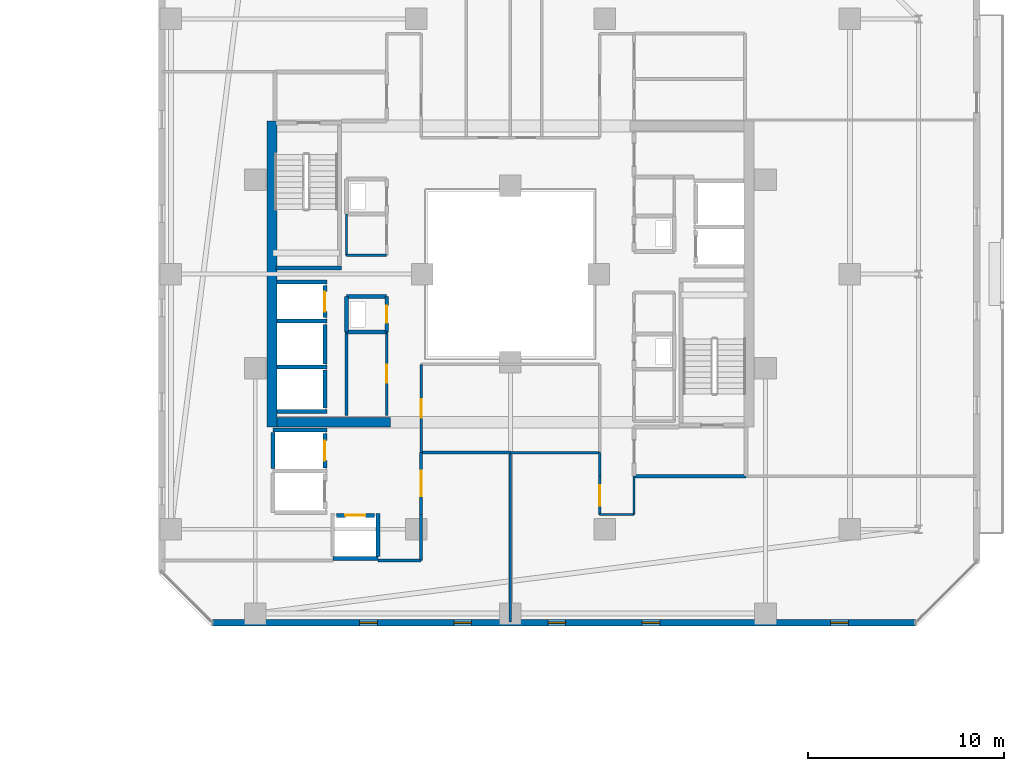
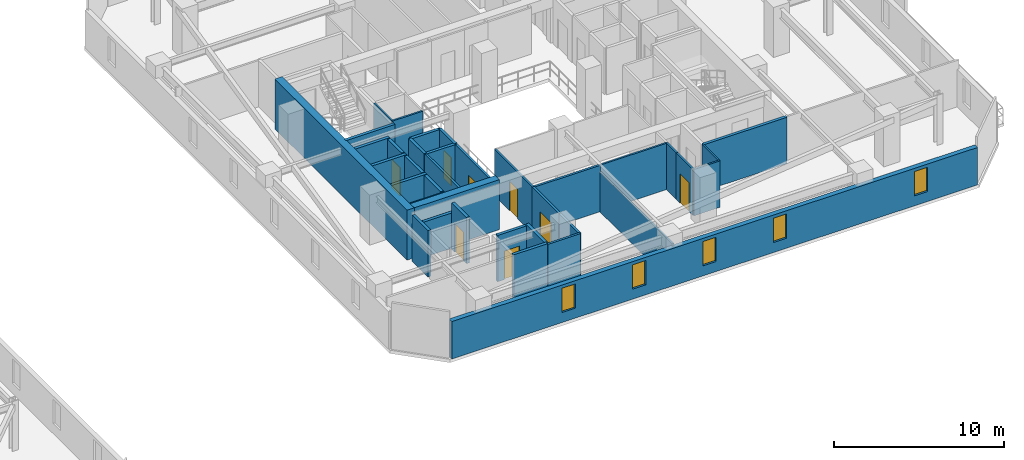
# One storey, part 23 of 33: 37 walls, 8 doors, 5 windows, 13 openings.
"""IFC4 building model written with IfcOpenShell, lengths in metres."""

from ifc_helpers import new_model, si_unit, direction, frame, frame_2d, origin, place, context, subcontext, project, spatial, rectangle, extrude, material, layer, layer_set, type_object, element, fill, save


model = new_model("IFC4")

# Units and contexts
model_context = context("Model", 3, precision=1e-05, world=origin(), true_north=direction((0.0, 1.0)))
body_context = subcontext(model_context, "Body", "Model", "MODEL_VIEW")
ifc_project = project(units=[si_unit("LENGTHUNIT", "METRE"), si_unit("AREAUNIT", "SQUARE_METRE"), si_unit("VOLUMEUNIT", "CUBIC_METRE"), si_unit("PLANEANGLEUNIT", "RADIAN"), si_unit("MASSUNIT", "GRAM", prefix="KILO")], contexts=[model_context])

# Site, building, storey
site_placement = place(None, origin())
site = spatial("IfcSite", under=ifc_project, at=site_placement, CompositionType="ELEMENT")
building_placement = place(site_placement, origin())
building = spatial("IfcBuilding", under=site, at=building_placement, Name="Thornwick Lancets Civic Towers", CompositionType="ELEMENT")
storey_placement = place(building_placement, frame((0.0, 0.0, 163.5)))
storey = spatial("IfcBuildingStorey", under=building, at=storey_placement, Name="L43", CompositionType="ELEMENT", Elevation=163.5)

# Wall, opening, door
ifc_material_1 = material(Name="Concrete blockwork C40/50", Category="masonry")
ifc_layer_1 = layer(ifc_material_1, 0.199951171875, Name="Concrete blockwork C40/50")
ifc_layer_set_1 = layer_set([ifc_layer_1], Name="Concrete blockwork C40/50")
wall_type_1 = type_object("IfcWallType", Name="WALL_COMP_200", PredefinedType="STANDARD", material=ifc_layer_set_1)
wall_1_placement = place(storey_placement, frame((79.050048828125, 24.780029296875, 0.0), z_axis=(0.0, 0.0, 1.0), x_axis=(0.0, 1.0, 0.0)))
wall_1 = element("IfcWall", 1, at=wall_1_placement, inside=storey, type_object=wall_type_1, Name="L43 Hoistway Front Wall FL-B2", PredefinedType="STANDARD", context=body_context, shape_type="SweptSolid", body=[
    extrude(rectangle(XDim=1.639892578125, YDim=0.199951171875, at=frame_2d((0.81982421875, 0.0))), origin(), (0.0, 0.0, 1.0), 3.340087890625),
])
opening_1_placement = place(wall_1_placement, frame((0.31005859375, 0.0, 0.0)))
opening_1 = element("IfcOpeningElement", 2, at=opening_1_placement, cuts=wall_1, Name="Opening LD-FL-B2", PredefinedType="OPENING", context=body_context, shape_type="SweptSolid", body=[
    extrude(rectangle(XDim=1.02001953125, YDim=2.06005859375, at=frame_2d((0.510009765625, 1.030029296875))), frame((0.0, 0.10986328125, 0.0), z_axis=(0.0, -1.0, 0.0), x_axis=(1.0, 0.0, 0.0)), (0.0, 0.0, 1.0), 0.219970703125),
])
ifc_material_2 = material(Name="Brushed bronze stainless steel", Category="steel")
door_type_1 = type_object("IfcDoorType", Name="DOOR_LIFT_SLIDE", OperationType="SLIDING_TO_LEFT", PredefinedType="DOOR", material=ifc_material_2)
door_1_placement = place(opening_1_placement, origin())
door_1 = element("IfcDoor", 3, at=door_1_placement, inside=storey, type_object=door_type_1, Name="L43 Sliding Lift Landing Door LD-FL-B2", OperationType="SLIDING_TO_LEFT", OverallHeight=2.06005859375, OverallWidth=1.02001953125, PredefinedType="DOOR", context=body_context, shape_type="SweptSolid", body=[
    extrude(rectangle(XDim=1.02001953125, YDim=2.06005859375, at=frame_2d((0.510009765625, 1.030029296875))), frame((0.0, 0.02490234375, 0.0), z_axis=(0.0, -1.0, 0.0), x_axis=(1.0, 0.0, 0.0)), (0.0, 0.0, 1.0), 0.050048828125),
])
fill(opening_1, door_1)

# Walls
wall_2_placement = place(storey_placement, frame((79.050048828125, 22.429931640625, 0.0), z_axis=(0.0, 0.0, 1.0), x_axis=(0.0, 1.0, 0.0)))
element("IfcWall", 4, at=wall_2_placement, inside=storey, type_object=wall_type_1, Name="L43 Hoistway Front Wall PL-BH2", PredefinedType="STANDARD", context=body_context, shape_type="SweptSolid", body=[
    extrude(rectangle(XDim=1.989990234375, YDim=0.199951171875, at=frame_2d((0.9951171875, 0.0))), origin(), (0.0, 0.0, 1.0), 3.340087890625),
])
wall_3_placement = place(storey_placement, frame((79.050048828125, 20.179931640625, 0.0), z_axis=(0.0, 0.0, 1.0), x_axis=(0.0, 1.0, 0.0)))
element("IfcWall", 5, at=wall_3_placement, inside=storey, type_object=wall_type_1, Name="L43 Hoistway Front Wall PL-BH3", PredefinedType="STANDARD", context=body_context, shape_type="SweptSolid", body=[
    extrude(rectangle(XDim=1.940185546875, YDim=0.199951171875, at=frame_2d((0.97021484375, 0.0))), origin(), (0.0, 0.0, 1.0), 3.340087890625),
])

# Wall, opening, door
wall_4_placement = place(storey_placement, frame((79.050048828125, 17.1298828125, 0.0), z_axis=(0.0, 0.0, 1.0), x_axis=(0.0, 1.0, 0.0)))
wall_4 = element("IfcWall", 6, at=wall_4_placement, inside=storey, type_object=wall_type_1, Name="L43 Hoistway Front Wall PL-BM1", PredefinedType="STANDARD", context=body_context, shape_type="SweptSolid", body=[
    extrude(rectangle(XDim=1.740234375, YDim=0.199951171875, at=frame_2d((0.8701171875, 0.0))), origin(), (0.0, 0.0, 1.0), 3.340087890625),
])
opening_2_placement = place(wall_4_placement, frame((0.360107421875, 0.0, 0.0)))
opening_2 = element("IfcOpeningElement", 7, at=opening_2_placement, cuts=wall_4, Name="Opening LD-PL-BM1", PredefinedType="OPENING", context=body_context, shape_type="SweptSolid", body=[
    extrude(rectangle(XDim=1.02001953125, YDim=2.06005859375, at=frame_2d((0.510009765625, 1.030029296875))), frame((0.0, 0.10986328125, 0.0), z_axis=(0.0, -1.0, 0.0), x_axis=(1.0, 0.0, 0.0)), (0.0, 0.0, 1.0), 0.219970703125),
])
door_2_placement = place(opening_2_placement, origin())
door_2 = element("IfcDoor", 8, at=door_2_placement, inside=storey, type_object=door_type_1, Name="L43 Sliding Lift Landing Door LD-PL-BM1", OperationType="SLIDING_TO_LEFT", OverallHeight=2.06005859375, OverallWidth=1.02001953125, PredefinedType="DOOR", context=body_context, shape_type="SweptSolid", body=[
    extrude(rectangle(XDim=1.02001953125, YDim=2.06005859375, at=frame_2d((0.510009765625, 1.030029296875))), frame((0.0, 0.02490234375, 0.0), z_axis=(0.0, -1.0, 0.0), x_axis=(1.0, 0.0, 0.0)), (0.0, 0.0, 1.0), 0.050048828125),
])
fill(opening_2, door_2)

wall_5_placement = place(storey_placement, frame((79.6298828125, 14.699951171875, 0.0), z_axis=(0.0, 0.0, 1.0), x_axis=(1.0, 0.0, 0.0)))
wall_5 = element("IfcWall", 9, at=wall_5_placement, inside=storey, type_object=wall_type_1, Name="L43 Hoistway Front Wall PL-BM3", PredefinedType="STANDARD", context=body_context, shape_type="SweptSolid", body=[
    extrude(rectangle(XDim=1.940185546875, YDim=0.199951171875, at=frame_2d((0.97021484375, 0.0))), origin(), (0.0, 0.0, 1.0), 3.340087890625),
])
opening_3_placement = place(wall_5_placement, frame((0.4599609375, 0.0, 0.0)))
opening_3 = element("IfcOpeningElement", 10, at=opening_3_placement, cuts=wall_5, Name="Opening LD-PL-BM3", PredefinedType="OPENING", context=body_context, shape_type="SweptSolid", body=[
    extrude(rectangle(XDim=1.02001953125, YDim=2.06005859375, at=frame_2d((0.510009765625, 1.030029296875))), frame((0.0, 0.10986328125, 0.0), z_axis=(0.0, -1.0, 0.0), x_axis=(1.0, 0.0, 0.0)), (0.0, 0.0, 1.0), 0.219970703125),
])
door_3_placement = place(opening_3_placement, origin())
door_3 = element("IfcDoor", 11, at=door_3_placement, inside=storey, type_object=door_type_1, Name="L43 Sliding Lift Landing Door LD-PL-BM3", OperationType="SLIDING_TO_LEFT", OverallHeight=2.06005859375, OverallWidth=1.02001953125, PredefinedType="DOOR", context=body_context, shape_type="SweptSolid", body=[
    extrude(rectangle(XDim=1.02001953125, YDim=2.06005859375, at=frame_2d((0.510009765625, 1.030029296875))), frame((0.0, 0.02490234375, 0.0), z_axis=(0.0, -1.0, 0.0), x_axis=(1.0, 0.0, 0.0)), (0.0, 0.0, 1.0), 0.050048828125),
])
fill(opening_3, door_3)

# Walls
for number, where, z_axis, x_axis, name in (
    (12, (76.612060546875, 26.60009765625, 0.0), (0.0, 0.0, 1.0), (1.0, 0.0, 0.0), "L43 Hoistway Shaft Wall FL-B2 N"),
    (13, (76.612060546875, 24.60009765625, 0.0), (0.0, 0.0, 1.0), (1.0, 0.0, 0.0), "L43 Hoistway Shaft Wall FL-B2 S"),
    (14, (76.612060546875, 22.27490234375, 0.0), (0.0, 0.0, 1.0), (1.0, 0.0, 0.0), "L43 Hoistway Shaft Wall PL-BH2 S"),
    (15, (76.612060546875, 20.0, 0.0), (0.0, 0.0, 1.0), (1.0, 0.0, 0.0), "L43 Hoistway Shaft Wall PL-BH3 S"),
):
    element("IfcWall", number, at=place(storey_placement, frame(where, z_axis=z_axis, x_axis=x_axis)), inside=storey, type_object=wall_type_1, Name=name, PredefinedType="STANDARD", context=body_context, shape_type="SweptSolid", body=[
        extrude(rectangle(XDim=2.535888671875, YDim=0.199951171875, at=frame_2d((1.26806640625, 0.0))), origin(), (0.0, 0.0, 1.0), 3.340087890625),
    ])
wall_6_placement = place(storey_placement, frame((76.402099609375, 19.050048828125, 0.0), z_axis=(0.0, 0.0, 1.0), x_axis=(1.0, 0.0, 0.0)))
element("IfcWall", 16, at=wall_6_placement, inside=storey, type_object=wall_type_1, Name="L43 Hoistway Shaft Wall PL-BM1 N", PredefinedType="STANDARD", context=body_context, shape_type="SweptSolid", body=[
    extrude(rectangle(XDim=2.745849609375, YDim=0.199951171875, at=frame_2d((1.373046875, 0.0))), origin(), (0.0, 0.0, 1.0), 2.544921875),
])
wall_7_placement = place(storey_placement, frame((76.39990234375, 17.08203125, 0.0), z_axis=(0.0, 0.0, 1.0), x_axis=(0.0, 1.0, 0.0)))
element("IfcWall", 17, at=wall_7_placement, inside=storey, type_object=wall_type_1, Name="L43 Hoistway Shaft Wall PL-BM1 W", PredefinedType="STANDARD", context=body_context, shape_type="SweptSolid", body=[
    extrude(rectangle(XDim=1.85595703125, YDim=0.199951171875, at=frame_2d((0.927978515625, 0.0))), origin(), (0.0, 0.0, 1.0), 3.340087890625),
])
wall_8_placement = place(storey_placement, frame((79.451904296875, 12.5, 0.0), z_axis=(0.0, 0.0, 1.0), x_axis=(1.0, 0.0, 0.0)))
element("IfcWall", 18, at=wall_8_placement, inside=storey, type_object=wall_type_1, Name="L43 Hoistway Shaft Wall PL-BM3 S", PredefinedType="STANDARD", context=body_context, shape_type="SweptSolid", body=[
    extrude(rectangle(XDim=2.296142578125, YDim=0.199951171875, at=frame_2d((1.14794921875, 0.0))), origin(), (0.0, 0.0, 1.0), 3.340087890625),
])
wall_9_placement = place(storey_placement, frame((81.75, 12.612060546875, 0.0), z_axis=(0.0, 0.0, 1.0), x_axis=(0.0, 1.0, 0.0)))
element("IfcWall", 19, at=wall_9_placement, inside=storey, type_object=wall_type_1, Name="L43 Hoistway Shaft Wall PL-BM3 E", PredefinedType="STANDARD", context=body_context, shape_type="SweptSolid", body=[
    extrude(rectangle(XDim=2.18603515625, YDim=0.199951171875, at=frame_2d((1.093017578125, 0.0))), origin(), (0.0, 0.0, 1.0), 3.340087890625),
])
wall_10_placement = place(storey_placement, frame((94.800048828125, 16.699951171875, 0.0), z_axis=(0.0, 0.0, 1.0), x_axis=(1.0, 0.0, 0.0)))
element("IfcWall", 20, at=wall_10_placement, inside=storey, type_object=wall_type_1, Name="L43 Partition L43-B-FFLOB1 E1", PredefinedType="STANDARD", context=body_context, shape_type="SweptSolid", body=[
    extrude(rectangle(XDim=5.699951171875, YDim=0.199951171875, at=frame_2d((2.85009765625, 0.0))), origin(), (0.0, 0.0, 1.0), 3.340087890625),
])
wall_11_placement = place(storey_placement, frame((80.14990234375, 24.050048828125, 0.0), z_axis=(0.0, 0.0, 1.0), x_axis=(1.0, 0.0, 0.0)))
element("IfcWall", 21, at=wall_11_placement, inside=storey, type_object=wall_type_1, Name="L43 Partition L43-B-DUCT2 E1", PredefinedType="STANDARD", context=body_context, shape_type="SweptSolid", body=[
    extrude(rectangle(XDim=2.050048828125, YDim=0.199951171875, at=frame_2d((1.02490234375, 0.0))), origin(), (0.0, 0.0, 1.0), 3.340087890625),
])

# Wall, opening, door
wall_12_placement = place(storey_placement, frame((82.199951171875, 24.050048828125, 0.0), z_axis=(0.0, 0.0, 1.0), x_axis=(0.0, 1.0, 0.0)))
wall_12 = element("IfcWall", 22, at=wall_12_placement, inside=storey, type_object=wall_type_1, Name="L43 Partition L43-B-DUCT2 E2", PredefinedType="STANDARD", context=body_context, shape_type="SweptSolid", body=[
    extrude(rectangle(XDim=1.800048828125, YDim=0.199951171875, at=frame_2d((0.89990234375, 0.0))), origin(), (0.0, 0.0, 1.0), 3.340087890625),
])
opening_4_placement = place(wall_12_placement, frame((0.4599609375, 0.0, 0.0)))
opening_4 = element("IfcOpeningElement", 23, at=opening_4_placement, cuts=wall_12, Name="Opening D-L43-1927", PredefinedType="OPENING", context=body_context, shape_type="SweptSolid", body=[
    extrude(rectangle(XDim=0.8798828125, YDim=2.0400390625, at=frame_2d((0.43994140625, 1.02001953125))), frame((0.0, 0.10986328125, 0.0), z_axis=(0.0, -1.0, 0.0), x_axis=(1.0, 0.0, 0.0)), (0.0, 0.0, 1.0), 0.219970703125),
])
ifc_material_3 = material(Name="Steel riser access doorset", Category="steel")
door_type_2 = type_object("IfcDoorType", Name="DOOR_RISER_850", OperationType="NOTDEFINED", PredefinedType="DOOR", material=ifc_material_3)
door_4_placement = place(opening_4_placement, origin())
door_4 = element("IfcDoor", 24, at=door_4_placement, inside=storey, type_object=door_type_2, Name="L43 West Service Duct 2 Door", OperationType="SINGLE_SWING_RIGHT", OverallHeight=2.0400390625, OverallWidth=0.8798828125, PredefinedType="DOOR", context=body_context, shape_type="SweptSolid", body=[
    extrude(rectangle(XDim=0.8798828125, YDim=2.0400390625, at=frame_2d((0.43994140625, 1.02001953125))), frame((0.0, 0.02490234375, 0.0), z_axis=(0.0, -1.0, 0.0), x_axis=(1.0, 0.0, 0.0)), (0.0, 0.0, 1.0), 0.050048828125),
])
fill(opening_4, door_4)

# Walls
wall_13_placement = place(storey_placement, frame((82.199951171875, 25.85009765625, 0.0), z_axis=(0.0, 0.0, 1.0), x_axis=(-1.0, 0.0, 0.0)))
element("IfcWall", 25, at=wall_13_placement, inside=storey, type_object=wall_type_1, Name="L43 Partition L43-B-DUCT2 E3", PredefinedType="STANDARD", context=body_context, shape_type="SweptSolid", body=[
    extrude(rectangle(XDim=2.050048828125, YDim=0.199951171875, at=frame_2d((1.02490234375, 0.0))), origin(), (0.0, 0.0, 1.0), 3.340087890625),
])
wall_14_placement = place(storey_placement, frame((80.14990234375, 25.85009765625, 0.0), z_axis=(0.0, 0.0, 1.0), x_axis=(0.0, -1.0, 0.0)))
element("IfcWall", 26, at=wall_14_placement, inside=storey, type_object=wall_type_1, Name="L43 Partition L43-B-DUCT2 E4", PredefinedType="STANDARD", context=body_context, shape_type="SweptSolid", body=[
    extrude(rectangle(XDim=1.800048828125, YDim=0.199951171875, at=frame_2d((0.89990234375, 0.0))), origin(), (0.0, 0.0, 1.0), 3.340087890625),
])
ifc_material_4 = material(Name="Concrete C50/60", Category="concrete")
ifc_layer_2 = layer(ifc_material_4, 0.5, Name="Concrete C50/60")
ifc_layer_set_2 = layer_set([ifc_layer_2], Name="Concrete C50/60")
wall_type_2 = type_object("IfcWallType", Name="WALL_CORE_500", PredefinedType="SHEAR", material=ifc_layer_set_2)
wall_15_placement = place(storey_placement, frame((76.35009765625, 19.199951171875, 0.0), z_axis=(0.0, 0.0, 1.0), x_axis=(0.0, 1.0, 0.0)))
element("IfcWall", 27, at=wall_15_placement, inside=storey, type_object=wall_type_2, Name="L43 Split Core B2 Shear Wall W", PredefinedType="SHEAR", context=body_context, shape_type="SweptSolid", body=[
    extrude(rectangle(XDim=15.60009765625, YDim=0.5, at=frame_2d((7.800048828125, 0.0))), origin(), (0.0, 0.0, 1.0), 3.60009765625),
])
wall_16_placement = place(storey_placement, frame((76.60009765625, 19.449951171875, 0.0), z_axis=(0.0, 0.0, 1.0), x_axis=(1.0, 0.0, 0.0)))
element("IfcWall", 28, at=wall_16_placement, inside=storey, type_object=wall_type_2, Name="L43 Split Core B2 Shear Wall S", PredefinedType="SHEAR", context=body_context, shape_type="SweptSolid", body=[
    extrude(rectangle(XDim=5.7998046875, YDim=0.5, at=frame_2d((2.89990234375, 0.0))), origin(), (0.0, 0.0, 1.0), 3.60009765625),
])

# Wall, openings, windows
ifc_material_5 = material(Name="Insulated buff terracotta rainscreen on concrete C40/50", Category="masonry")
ifc_layer_3 = layer(ifc_material_5, 0.320068359375, Name="Insulated buff terracotta rainscreen on concrete C40/50")
ifc_layer_set_3 = layer_set([ifc_layer_3], Name="Insulated buff terracotta rainscreen on concrete C40/50")
wall_type_3 = type_object("IfcWallType", Name="WALL_EXT_TERRA_320", PredefinedType="STANDARD", material=ifc_layer_set_3)
wall_17_placement = place(storey_placement, frame((73.318603515625, 9.2353515625, 0.0), z_axis=(0.0, 0.0, 1.0), x_axis=(0.999999998513, 5.4540124e-05, 0.0)))
wall_17 = element("IfcWall", 29, at=wall_17_placement, inside=storey, type_object=wall_type_3, Name="L43 Tower B Terracotta Facade Wall E0", PredefinedType="STANDARD", context=body_context, shape_type="SweptSolid", body=[
    extrude(rectangle(XDim=35.810791015625, YDim=0.320068359375, at=frame_2d((17.9052734375, 0.0))), origin(), (0.0, 0.0, 1.0), 2.699951171875),
])
opening_5_placement = place(wall_17_placement, frame((7.5, 0.0, 0.719970703125)))
opening_5 = element("IfcOpeningElement", 30, at=opening_5_placement, cuts=wall_17, Name="Opening WL-01", PredefinedType="OPENING", context=body_context, shape_type="SweptSolid", body=[
    extrude(rectangle(XDim=0.89990234375, YDim=1.75, at=frame_2d((0.449951171875, 0.875))), frame((0.0, 0.169921875, 0.0), z_axis=(0.0, -1.0, 0.0), x_axis=(1.0, 0.0, 0.0)), (0.0, 0.0, 1.0), 0.340087890625),
])
opening_6_placement = place(wall_17_placement, frame((12.300048828125, 0.0, 0.719970703125)))
opening_6 = element("IfcOpeningElement", 31, at=opening_6_placement, cuts=wall_17, Name="Opening WL-01", PredefinedType="OPENING", context=body_context, shape_type="SweptSolid", body=[
    extrude(rectangle(XDim=0.89990234375, YDim=1.75, at=frame_2d((0.449951171875, 0.875))), frame((0.0, 0.169921875, 0.0), z_axis=(0.0, -1.0, 0.0), x_axis=(1.0, 0.0, 0.0)), (0.0, 0.0, 1.0), 0.340087890625),
])
opening_7_placement = place(wall_17_placement, frame((17.10009765625, 0.0, 0.719970703125)))
opening_7 = element("IfcOpeningElement", 32, at=opening_7_placement, cuts=wall_17, Name="Opening WL-01", PredefinedType="OPENING", context=body_context, shape_type="SweptSolid", body=[
    extrude(rectangle(XDim=0.89990234375, YDim=1.75, at=frame_2d((0.449951171875, 0.875))), frame((0.0, 0.169921875, 0.0), z_axis=(0.0, -1.0, 0.0), x_axis=(1.0, 0.0, 0.0)), (0.0, 0.0, 1.0), 0.340087890625),
])
opening_8_placement = place(wall_17_placement, frame((21.89990234375, 0.0, 0.719970703125)))
opening_8 = element("IfcOpeningElement", 33, at=opening_8_placement, cuts=wall_17, Name="Opening WL-01", PredefinedType="OPENING", context=body_context, shape_type="SweptSolid", body=[
    extrude(rectangle(XDim=0.89990234375, YDim=1.75, at=frame_2d((0.449951171875, 0.875))), frame((0.0, 0.169921875, 0.0), z_axis=(0.0, -1.0, 0.0), x_axis=(1.0, 0.0, 0.0)), (0.0, 0.0, 1.0), 0.340087890625),
])
opening_9_placement = place(wall_17_placement, frame((31.5, 0.0, 0.719970703125)))
opening_9 = element("IfcOpeningElement", 34, at=opening_9_placement, cuts=wall_17, Name="Opening WL-01", PredefinedType="OPENING", context=body_context, shape_type="SweptSolid", body=[
    extrude(rectangle(XDim=0.89990234375, YDim=1.75, at=frame_2d((0.449951171875, 0.875))), frame((0.0, 0.169921875, 0.0), z_axis=(0.0, -1.0, 0.0), x_axis=(1.0, 0.0, 0.0)), (0.0, 0.0, 1.0), 0.340087890625),
])
ifc_material_6 = material(Name="Clear low-e double glazing in bronze frame", Category="glass")
window_type = type_object("IfcWindowType", Name="WIN_LANCET_900", PartitioningType="SINGLE_PANEL", PredefinedType="WINDOW", material=ifc_material_6)
window_1_placement = place(opening_5_placement, origin())
window_1 = element("IfcWindow", 35, at=window_1_placement, inside=storey, type_object=window_type, Name="L43 Tower B Staggered Lancet Window E0-1", OverallHeight=1.75, OverallWidth=0.89990234375, PartitioningType="SINGLE_PANEL", PredefinedType="WINDOW", context=body_context, shape_type="SweptSolid", body=[
    extrude(rectangle(XDim=0.89990234375, YDim=1.75, at=frame_2d((0.449951171875, 0.875))), frame((0.0, 0.030029296875, 0.0), z_axis=(0.0, -1.0, 0.0), x_axis=(1.0, 0.0, 0.0)), (0.0, 0.0, 1.0), 0.06005859375),
])
fill(opening_5, window_1)
window_2_placement = place(opening_6_placement, origin())
window_2 = element("IfcWindow", 36, at=window_2_placement, inside=storey, type_object=window_type, Name="L43 Tower B Staggered Lancet Window E0-2", OverallHeight=1.75, OverallWidth=0.89990234375, PartitioningType="SINGLE_PANEL", PredefinedType="WINDOW", context=body_context, shape_type="SweptSolid", body=[
    extrude(rectangle(XDim=0.89990234375, YDim=1.75, at=frame_2d((0.449951171875, 0.875))), frame((0.0, 0.030029296875, 0.0), z_axis=(0.0, -1.0, 0.0), x_axis=(1.0, 0.0, 0.0)), (0.0, 0.0, 1.0), 0.06005859375),
])
fill(opening_6, window_2)
window_3_placement = place(opening_7_placement, origin())
window_3 = element("IfcWindow", 37, at=window_3_placement, inside=storey, type_object=window_type, Name="L43 Tower B Staggered Lancet Window E0-3", OverallHeight=1.75, OverallWidth=0.89990234375, PartitioningType="SINGLE_PANEL", PredefinedType="WINDOW", context=body_context, shape_type="SweptSolid", body=[
    extrude(rectangle(XDim=0.89990234375, YDim=1.75, at=frame_2d((0.449951171875, 0.875))), frame((0.0, 0.030029296875, 0.0), z_axis=(0.0, -1.0, 0.0), x_axis=(1.0, 0.0, 0.0)), (0.0, 0.0, 1.0), 0.06005859375),
])
fill(opening_7, window_3)
window_4_placement = place(opening_8_placement, origin())
window_4 = element("IfcWindow", 38, at=window_4_placement, inside=storey, type_object=window_type, Name="L43 Tower B Staggered Lancet Window E0-4", OverallHeight=1.75, OverallWidth=0.89990234375, PartitioningType="SINGLE_PANEL", PredefinedType="WINDOW", context=body_context, shape_type="SweptSolid", body=[
    extrude(rectangle(XDim=0.89990234375, YDim=1.75, at=frame_2d((0.449951171875, 0.875))), frame((0.0, 0.030029296875, 0.0), z_axis=(0.0, -1.0, 0.0), x_axis=(1.0, 0.0, 0.0)), (0.0, 0.0, 1.0), 0.06005859375),
])
fill(opening_8, window_4)
window_5_placement = place(opening_9_placement, origin())
window_5 = element("IfcWindow", 39, at=window_5_placement, inside=storey, type_object=window_type, Name="L43 Tower B Staggered Lancet Window E0-5", OverallHeight=1.75, OverallWidth=0.89990234375, PartitioningType="SINGLE_PANEL", PredefinedType="WINDOW", context=body_context, shape_type="SweptSolid", body=[
    extrude(rectangle(XDim=0.89990234375, YDim=1.75, at=frame_2d((0.449951171875, 0.875))), frame((0.0, 0.030029296875, 0.0), z_axis=(0.0, -1.0, 0.0), x_axis=(1.0, 0.0, 0.0)), (0.0, 0.0, 1.0), 0.06005859375),
])
fill(opening_9, window_5)

# Walls
ifc_material_7 = material(Name="Acoustic gypsum board partition")
ifc_layer_4 = layer(ifc_material_7, 0.1201171875, Name="Acoustic gypsum board partition")
ifc_layer_set_4 = layer_set([ifc_layer_4], Name="Acoustic gypsum board partition")
wall_type_4 = type_object("IfcWallType", Name="WALL_PART_120", PredefinedType="PARTITIONING", material=ifc_layer_set_4)
wall_18_placement = place(storey_placement, frame((82.199951171875, 27.949951171875, 0.0), z_axis=(0.0, 0.0, 1.0), x_axis=(-1.0, 0.0, 0.0)))
element("IfcWall", 40, at=wall_18_placement, inside=storey, type_object=wall_type_4, Name="L43 Partition L43-B-ITR E1", PredefinedType="PARTITIONING", context=body_context, shape_type="SweptSolid", body=[
    extrude(rectangle(XDim=2.050048828125, YDim=0.1201171875, at=frame_2d((1.02490234375, 0.0))), origin(), (0.0, 0.0, 1.0), 3.340087890625),
])
wall_19_placement = place(storey_placement, frame((80.14990234375, 27.949951171875, 0.0), z_axis=(0.0, 0.0, 1.0), x_axis=(0.0, 1.0, 0.0)))
element("IfcWall", 41, at=wall_19_placement, inside=storey, type_object=wall_type_4, Name="L43 Partition L43-B-ITR E2", PredefinedType="PARTITIONING", context=body_context, shape_type="SweptSolid", body=[
    extrude(rectangle(XDim=2.10009765625, YDim=0.1201171875, at=frame_2d((1.050048828125, 0.0))), origin(), (0.0, 0.0, 1.0), 3.340087890625),
])
wall_20_placement = place(storey_placement, frame((88.5, 9.280029296875, 0.0), z_axis=(0.0, 0.0, 1.0), x_axis=(0.0, 1.0, 0.0)))
element("IfcWall", 42, at=wall_20_placement, inside=storey, type_object=wall_type_4, Name="L43 Partition L43-B-W1 E2", PredefinedType="PARTITIONING", context=body_context, shape_type="SweptSolid", body=[
    extrude(rectangle(XDim=8.619873046875, YDim=0.1201171875, at=frame_2d((4.31005859375, 0.0))), origin(), (0.0, 0.0, 1.0), 2.877685546875),
])
wall_21_placement = place(storey_placement, frame((88.5, 17.89990234375, 0.0), z_axis=(0.0, 0.0, 1.0), x_axis=(1.0, 0.0, 0.0)))
element("IfcWall", 43, at=wall_21_placement, inside=storey, type_object=wall_type_4, Name="L43 Partition L43-B-W1 E3", PredefinedType="PARTITIONING", context=body_context, shape_type="SweptSolid", body=[
    extrude(rectangle(XDim=4.550048828125, YDim=0.1201171875, at=frame_2d((2.27490234375, 0.0))), origin(), (0.0, 0.0, 1.0), 3.340087890625),
])
wall_22_placement = place(storey_placement, frame((93.050048828125, 17.89990234375, 0.0), z_axis=(0.0, 0.0, 1.0), x_axis=(0.0, -1.0, 0.0)))
element("IfcWall", 44, at=wall_22_placement, inside=storey, type_object=wall_type_4, Name="L43 Partition L43-B-W1 E4", PredefinedType="PARTITIONING", context=body_context, shape_type="SweptSolid", body=[
    extrude(rectangle(XDim=1.199951171875, YDim=0.1201171875, at=frame_2d((0.60009765625, 0.0))), origin(), (0.0, 0.0, 1.0), 3.340087890625),
])

# Wall, opening, door
wall_23_placement = place(storey_placement, frame((93.050048828125, 16.699951171875, 0.0), z_axis=(0.0, 0.0, 1.0), x_axis=(0.0, -1.0, 0.0)))
wall_23 = element("IfcWall", 45, at=wall_23_placement, inside=storey, type_object=wall_type_4, Name="L43 Partition L43-B-W1 E5", PredefinedType="PARTITIONING", context=body_context, shape_type="SweptSolid", body=[
    extrude(rectangle(XDim=1.949951171875, YDim=0.1201171875, at=frame_2d((0.97509765625, 0.0))), origin(), (0.0, 0.0, 1.0), 3.340087890625),
])
opening_10_placement = place(wall_23_placement, frame((0.449951171875, 0.0, 0.0)))
opening_10 = element("IfcOpeningElement", 46, at=opening_10_placement, cuts=wall_23, Name="Opening D-L43-1946", PredefinedType="OPENING", context=body_context, shape_type="SweptSolid", body=[
    extrude(rectangle(XDim=1.050048828125, YDim=2.10009765625, at=frame_2d((0.52490234375, 1.050048828125))), frame((0.0, 0.070068359375, 0.0), z_axis=(0.0, -1.0, 0.0), x_axis=(1.0, 0.0, 0.0)), (0.0, 0.0, 1.0), 0.14013671875),
])
ifc_material_8 = material(Name="Glazed European oak executive doorset")
door_type_3 = type_object("IfcDoorType", Name="DOOR_OFFICE_1050", OperationType="NOTDEFINED", PredefinedType="DOOR", material=ifc_material_8)
door_5_placement = place(opening_10_placement, origin())
door_5 = element("IfcDoor", 47, at=door_5_placement, inside=storey, type_object=door_type_3, Name="L43 Tower B Ministry Directorate Office W1 Door", OperationType="SINGLE_SWING_LEFT", OverallHeight=2.10009765625, OverallWidth=1.050048828125, PredefinedType="DOOR", context=body_context, shape_type="SweptSolid", body=[
    extrude(rectangle(XDim=1.050048828125, YDim=2.10009765625, at=frame_2d((0.52490234375, 1.050048828125))), frame((0.0, 0.02490234375, 0.0), z_axis=(0.0, -1.0, 0.0), x_axis=(1.0, 0.0, 0.0)), (0.0, 0.0, 1.0), 0.050048828125),
])
fill(opening_10, door_5)

# Walls
wall_24_placement = place(storey_placement, frame((93.050048828125, 14.75, 0.0), z_axis=(0.0, 0.0, 1.0), x_axis=(1.0, 0.0, 0.0)))
element("IfcWall", 48, at=wall_24_placement, inside=storey, type_object=wall_type_4, Name="L43 Partition L43-B-W1 E6", PredefinedType="PARTITIONING", context=body_context, shape_type="SweptSolid", body=[
    extrude(rectangle(XDim=1.75, YDim=0.1201171875, at=frame_2d((0.875, 0.0))), origin(), (0.0, 0.0, 1.0), 3.340087890625),
])
wall_25_placement = place(storey_placement, frame((94.800048828125, 14.75, 0.0), z_axis=(0.0, 0.0, 1.0), x_axis=(0.0, 1.0, 0.0)))
element("IfcWall", 49, at=wall_25_placement, inside=storey, type_object=wall_type_4, Name="L43 Partition L43-B-W1 E7", PredefinedType="PARTITIONING", context=body_context, shape_type="SweptSolid", body=[
    extrude(rectangle(XDim=1.949951171875, YDim=0.1201171875, at=frame_2d((0.97509765625, 0.0))), origin(), (0.0, 0.0, 1.0), 3.340087890625),
])

# Wall, opening, door
wall_26_placement = place(storey_placement, frame((83.949951171875, 17.89990234375, 0.0), z_axis=(0.0, 0.0, 1.0), x_axis=(0.0, 1.0, 0.0)))
wall_26 = element("IfcWall", 50, at=wall_26_placement, inside=storey, type_object=wall_type_4, Name="L43 Partition L43-B-W3 E1", PredefinedType="PARTITIONING", context=body_context, shape_type="SweptSolid", body=[
    extrude(rectangle(XDim=4.5, YDim=0.1201171875, at=frame_2d((2.25, 0.0))), origin(), (0.0, 0.0, 1.0), 3.340087890625),
])
opening_11_placement = place(wall_26_placement, frame((1.77490234375, 0.0, 0.0)))
opening_11 = element("IfcOpeningElement", 51, at=opening_11_placement, cuts=wall_26, Name="Opening D-L43-1948", PredefinedType="OPENING", context=body_context, shape_type="SweptSolid", body=[
    extrude(rectangle(XDim=0.949951171875, YDim=2.10009765625, at=frame_2d((0.47509765625, 1.050048828125))), frame((0.0, 0.070068359375, 0.0), z_axis=(0.0, -1.0, 0.0), x_axis=(1.0, 0.0, 0.0)), (0.0, 0.0, 1.0), 0.14013671875),
])
ifc_material_9 = material(Name="European oak acoustic doorset")
door_type_4 = type_object("IfcDoorType", Name="DOOR_OFFICE_950", OperationType="NOTDEFINED", PredefinedType="DOOR", material=ifc_material_9)
door_6_placement = place(opening_11_placement, origin())
door_6 = element("IfcDoor", 52, at=door_6_placement, inside=storey, type_object=door_type_4, Name="L43 Tower B West Atrium Reading Lounge Door", OperationType="SINGLE_SWING_LEFT", OverallHeight=2.10009765625, OverallWidth=0.949951171875, PredefinedType="DOOR", context=body_context, shape_type="SweptSolid", body=[
    extrude(rectangle(XDim=0.949951171875, YDim=2.10009765625, at=frame_2d((0.47509765625, 1.050048828125))), frame((0.0, 0.02490234375, 0.0), z_axis=(0.0, -1.0, 0.0), x_axis=(1.0, 0.0, 0.0)), (0.0, 0.0, 1.0), 0.050048828125),
])
fill(opening_11, door_6)

# Wall
ifc_material_10 = material(Name="Twin-stud acoustic gypsum board")
ifc_layer_5 = layer(ifc_material_10, 0.14990234375, Name="Twin-stud acoustic gypsum board")
ifc_layer_set_5 = layer_set([ifc_layer_5], Name="Twin-stud acoustic gypsum board")
wall_type_5 = type_object("IfcWallType", Name="WALL_PART_150", PredefinedType="PARTITIONING", material=ifc_layer_set_5)
wall_27_placement = place(storey_placement, frame((80.14990234375, 19.800048828125, 0.0), z_axis=(0.0, 0.0, 1.0), x_axis=(0.0, 1.0, 0.0)))
element("IfcWall", 53, at=wall_27_placement, inside=storey, type_object=wall_type_5, Name="L43 Partition L43-B-FWC E2", PredefinedType="PARTITIONING", context=body_context, shape_type="SweptSolid", body=[
    extrude(rectangle(XDim=4.25, YDim=0.14990234375, at=frame_2d((2.125, 0.0))), origin(), (0.0, 0.0, 1.0), 3.340087890625),
])

# Wall, opening, door
wall_28_placement = place(storey_placement, frame((82.199951171875, 24.050048828125, 0.0), z_axis=(0.0, 0.0, 1.0), x_axis=(0.0, -1.0, 0.0)))
wall_28 = element("IfcWall", 54, at=wall_28_placement, inside=storey, type_object=wall_type_5, Name="L43 Partition L43-B-FWC E4", PredefinedType="PARTITIONING", context=body_context, shape_type="SweptSolid", body=[
    extrude(rectangle(XDim=4.25, YDim=0.14990234375, at=frame_2d((2.125, 0.0))), origin(), (0.0, 0.0, 1.0), 3.340087890625),
])
opening_12_placement = place(wall_28_placement, frame((1.6650390625, 0.0, 0.0)))
opening_12 = element("IfcOpeningElement", 55, at=opening_12_placement, cuts=wall_28, Name="Opening D-L43-1933", PredefinedType="OPENING", context=body_context, shape_type="SweptSolid", body=[
    extrude(rectangle(XDim=0.919921875, YDim=2.080078125, at=frame_2d((0.4599609375, 1.0400390625))), frame((0.0, 0.0849609375, 0.0), z_axis=(0.0, -1.0, 0.0), x_axis=(1.0, 0.0, 0.0)), (0.0, 0.0, 1.0), 0.169921875),
])
ifc_material_11 = material(Name="Moisture-resistant oak doorset")
door_type_5 = type_object("IfcDoorType", Name="DOOR_WC_900", OperationType="NOTDEFINED", PredefinedType="DOOR", material=ifc_material_11)
door_7_placement = place(opening_12_placement, origin())
door_7 = element("IfcDoor", 56, at=door_7_placement, inside=storey, type_object=door_type_5, Name="L43 Tower B Female WC Door", OperationType="SINGLE_SWING_RIGHT", OverallHeight=2.080078125, OverallWidth=0.919921875, PredefinedType="DOOR", context=body_context, shape_type="SweptSolid", body=[
    extrude(rectangle(XDim=0.919921875, YDim=2.080078125, at=frame_2d((0.4599609375, 1.0400390625))), frame((0.0, 0.02490234375, 0.0), z_axis=(0.0, -1.0, 0.0), x_axis=(1.0, 0.0, 0.0)), (0.0, 0.0, 1.0), 0.050048828125),
])
fill(opening_12, door_7)

wall_29_placement = place(storey_placement, frame((83.949951171875, 14.75, 0.0), z_axis=(0.0, 0.0, 1.0), x_axis=(0.0, 1.0, 0.0)))
wall_29 = element("IfcWall", 57, at=wall_29_placement, inside=storey, type_object=wall_type_5, Name="L43 Partition L43-B-W2 E1", PredefinedType="PARTITIONING", context=body_context, shape_type="SweptSolid", body=[
    extrude(rectangle(XDim=3.14990234375, YDim=0.14990234375, at=frame_2d((1.574951171875, 0.0))), origin(), (0.0, 0.0, 1.0), 3.340087890625),
])
opening_13_placement = place(wall_29_placement, frame((0.925048828125, 0.0, 0.0)))
opening_13 = element("IfcOpeningElement", 58, at=opening_13_placement, cuts=wall_29, Name="Opening D-L43-1947", PredefinedType="OPENING", context=body_context, shape_type="SweptSolid", body=[
    extrude(rectangle(XDim=1.300048828125, YDim=2.1201171875, at=frame_2d((0.64990234375, 1.06005859375))), frame((0.0, 0.0849609375, 0.0), z_axis=(0.0, -1.0, 0.0), x_axis=(1.0, 0.0, 0.0)), (0.0, 0.0, 1.0), 0.169921875),
])
ifc_material_12 = material(Name="Acoustic oak leaf-and-a-half doorset")
door_type_6 = type_object("IfcDoorType", Name="DOOR_MEET_1300", OperationType="DOUBLE_DOOR_SINGLE_SWING", PredefinedType="DOOR", material=ifc_material_12)
door_8_placement = place(opening_13_placement, origin())
door_8 = element("IfcDoor", 59, at=door_8_placement, inside=storey, type_object=door_type_6, Name="L43 Tower B Policy Briefing Room W2 Door", OperationType="DOUBLE_DOOR_SINGLE_SWING", OverallHeight=2.1201171875, OverallWidth=1.300048828125, PredefinedType="DOOR", context=body_context, shape_type="SweptSolid", body=[
    extrude(rectangle(XDim=1.300048828125, YDim=2.1201171875, at=frame_2d((0.64990234375, 1.06005859375))), frame((0.0, 0.02490234375, 0.0), z_axis=(0.0, -1.0, 0.0), x_axis=(1.0, 0.0, 0.0)), (0.0, 0.0, 1.0), 0.050048828125),
])
fill(opening_13, door_8)

# Walls
wall_30_placement = place(storey_placement, frame((83.949951171875, 17.89990234375, 0.0), z_axis=(0.0, 0.0, 1.0), x_axis=(1.0, 0.0, 0.0)))
element("IfcWall", 60, at=wall_30_placement, inside=storey, type_object=wall_type_5, Name="L43 Partition L43-B-W2 E2", PredefinedType="PARTITIONING", context=body_context, shape_type="SweptSolid", body=[
    extrude(rectangle(XDim=4.550048828125, YDim=0.14990234375, at=frame_2d((2.27490234375, 0.0))), origin(), (0.0, 0.0, 1.0), 3.340087890625),
])
wall_31_placement = place(storey_placement, frame((81.748046875, 12.39990234375, 0.0), z_axis=(0.0, 0.0, 1.0), x_axis=(1.0, 0.0, 0.0)))
element("IfcWall", 61, at=wall_31_placement, inside=storey, type_object=wall_type_5, Name="L43 Partition L43-B-W2 E7", PredefinedType="PARTITIONING", context=body_context, shape_type="SweptSolid", body=[
    extrude(rectangle(XDim=2.201904296875, YDim=0.14990234375, at=frame_2d((1.10107421875, 0.0))), origin(), (0.0, 0.0, 1.0), 3.340087890625),
])
wall_32_placement = place(storey_placement, frame((83.949951171875, 12.39990234375, 0.0), z_axis=(0.0, 0.0, 1.0), x_axis=(0.0, 1.0, 0.0)))
element("IfcWall", 62, at=wall_32_placement, inside=storey, type_object=wall_type_5, Name="L43 Partition L43-B-W2 E8", PredefinedType="PARTITIONING", context=body_context, shape_type="SweptSolid", body=[
    extrude(rectangle(XDim=2.35009765625, YDim=0.14990234375, at=frame_2d((1.175048828125, 0.0))), origin(), (0.0, 0.0, 1.0), 3.340087890625),
])
ifc_material_13 = material(Name="Concrete C40/50", Category="concrete")
ifc_layer_6 = layer(ifc_material_13, 0.199951171875, Name="Concrete C40/50")
ifc_layer_set_6 = layer_set([ifc_layer_6], Name="Concrete C40/50")
wall_type_6 = type_object("IfcWallType", Name="WALL_SHAFT_200", PredefinedType="SHEAR", material=ifc_layer_set_6)
wall_33_placement = place(storey_placement, frame((79.89990234375, 27.300048828125, 0.0), z_axis=(0.0, 0.0, 1.0), x_axis=(-1.0, 0.0, 0.0)))
element("IfcWall", 63, at=wall_33_placement, inside=storey, type_object=wall_type_6, Name="L43 ST-B2 Fire Stair Core Wall FAR", PredefinedType="SHEAR", context=body_context, shape_type="SweptSolid", body=[
    extrude(rectangle(XDim=3.349853515625, YDim=0.199951171875, at=frame_2d((1.6748046875, 0.0))), origin(), (0.0, 0.0, 1.0), 3.60009765625),
])

save(model, "model.ifc")
